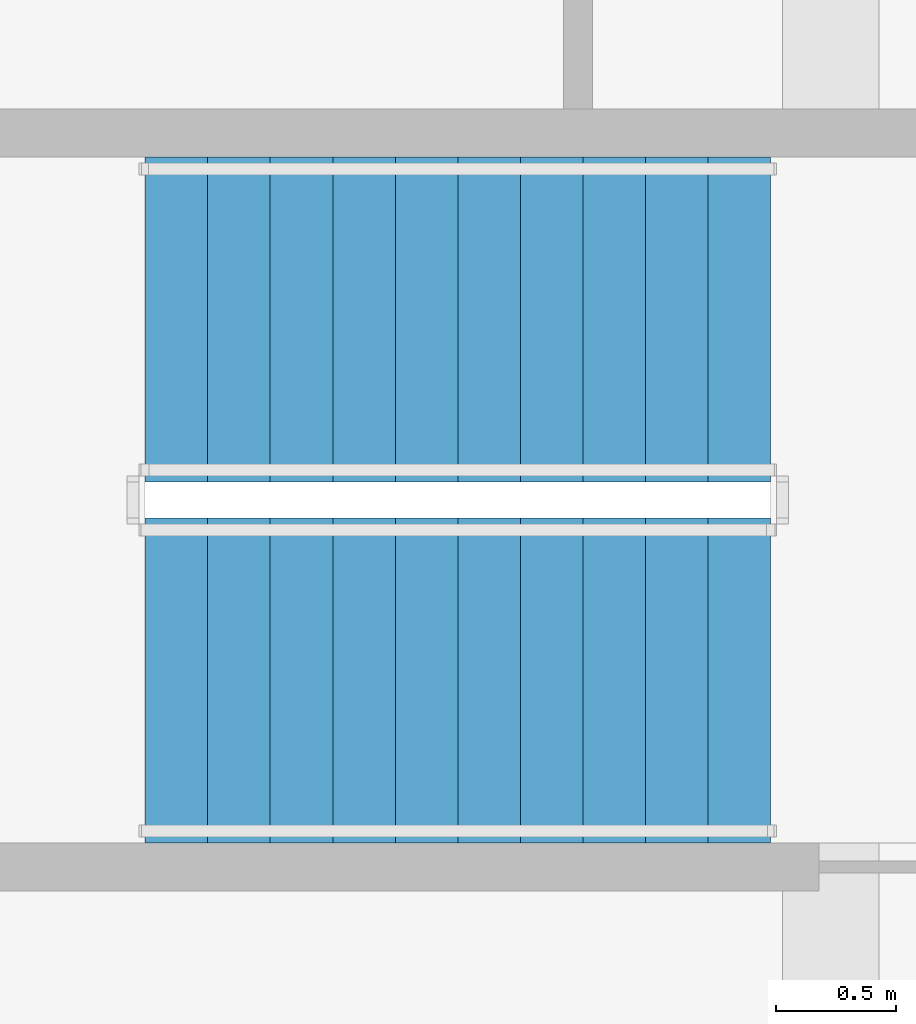
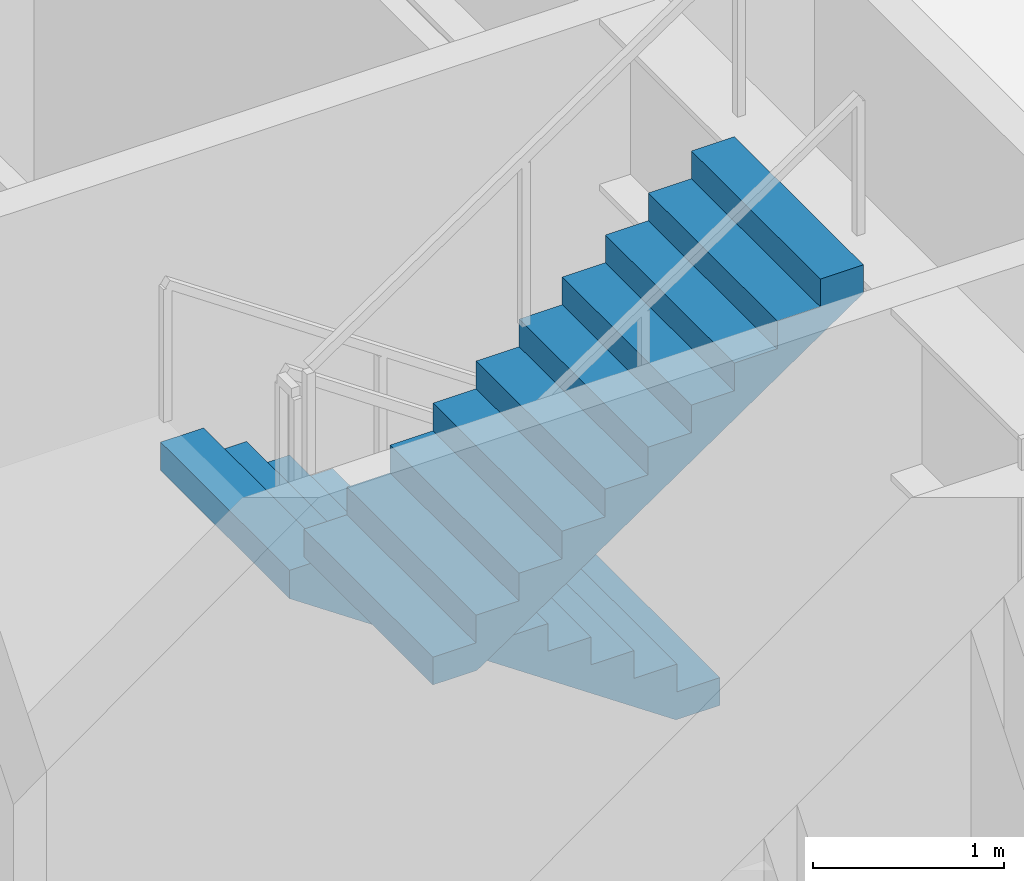
# One storey, part 9 of 12: 2 stair flights, 1 element without a shape of its own.
"""IFC4 building model written with IfcOpenShell, lengths in metres."""

from ifc_helpers import new_model, si_unit, direction, frame, origin, place, context, subcontext, project, spatial, polyline, outline, extrude, material, type_object, element, aggregate, save


model = new_model("IFC4")

# Units and contexts
model_context = context("Model", 3, precision=1e-05, world=origin(), true_north=direction((0.0, 1.0)))
body_context = subcontext(model_context, "Body", "Model", "MODEL_VIEW")
ifc_project = project(units=[si_unit("LENGTHUNIT", "METRE"), si_unit("AREAUNIT", "SQUARE_METRE"), si_unit("VOLUMEUNIT", "CUBIC_METRE"), si_unit("PLANEANGLEUNIT", "RADIAN"), si_unit("MASSUNIT", "GRAM", prefix="KILO")], contexts=[model_context])

# Site, building, storey
site_placement = place(None, origin())
site = spatial("IfcSite", under=ifc_project, at=site_placement, CompositionType="ELEMENT")
building_placement = place(site_placement, origin())
building = spatial("IfcBuilding", under=site, at=building_placement, Name="Khepri Terraces", CompositionType="ELEMENT")
storey_placement = place(building_placement, frame((0.0, 0.0, 296.699951171875)))
storey = spatial("IfcBuildingStorey", under=building, at=storey_placement, Name="L71", CompositionType="ELEMENT", Elevation=296.699951171875)

# Stair, stair flights
ifc_material = material(Name="Concrete C40/50", Category="concrete")
stair_type = type_object("IfcStairType", Name="STAIR-RC-22R", PredefinedType="HALF_TURN_STAIR", material=ifc_material)
stair_placement = place(storey_placement, origin())
stair = element("IfcStair", 1, at=stair_placement, inside=storey, type_object=stair_type, Name="L71 Exit Stair ST-3", PredefinedType="HALF_TURN_STAIR")
stair_flight_type = type_object("IfcStairFlightType", Name="SFL-RC-177.3", PredefinedType="STRAIGHT", material=ifc_material)
stair_flight_1_placement = place(storey_placement, frame((-0.25, 9.425048828125, 0.0), z_axis=(0.0, 0.0, 1.0), x_axis=(-1.0, 0.0, 0.0)))
stair_flight_1 = element("IfcStairFlight", 2, at=stair_flight_1_placement, type_object=stair_flight_type, Name="ST-3 flight 1", NumberOfRisers=11, NumberOfTreads=10, PredefinedType="STRAIGHT", RiserHeight=0.177272727, TreadLength=0.26, context=body_context, shape_type="SweptSolid", body=[
    extrude(outline(polyline([(0.0, 0.0), (0.0, 0.17724609375), (0.260009765625, 0.17724609375), (0.260009765625, 0.3544921875), (0.52001953125, 0.3544921875), (0.52001953125, 0.53173828125), (0.780029296875, 0.53173828125), (0.780029296875, 0.708984375), (1.0400390625, 0.708984375), (1.0400390625, 0.886474609375), (1.300048828125, 0.886474609375), (1.300048828125, 1.063720703125), (1.56005859375, 1.063720703125), (1.56005859375, 1.240966796875), (1.820068359375, 1.240966796875), (1.820068359375, 1.418212890625), (2.080078125, 1.418212890625), (2.080078125, 1.595458984375), (2.340087890625, 1.595458984375), (2.340087890625, 1.772705078125), (2.60009765625, 1.772705078125), (2.60009765625, 1.949951171875), (2.60009765625, 1.59130859375), (0.26611328125, 0.0), (0.0, 0.0)])), frame((0.0, 0.675048828125, 0.0), z_axis=(0.0, -1.0, 0.0), x_axis=(1.0, 0.0, 0.0)), (0.0, 0.0, 1.0), 1.35009765625),
])
stair_flight_2_placement = place(storey_placement, frame((-2.85009765625, 7.925048828125, 1.949951171875), z_axis=(0.0, 0.0, 1.0), x_axis=(1.0, 0.0, 0.0)))
stair_flight_2 = element("IfcStairFlight", 3, at=stair_flight_2_placement, type_object=stair_flight_type, Name="ST-3 flight 2", NumberOfRisers=11, NumberOfTreads=10, PredefinedType="STRAIGHT", RiserHeight=0.177272727, TreadLength=0.26, context=body_context, shape_type="SweptSolid", body=[
    extrude(outline(polyline([(0.0, 0.0), (0.0, 0.17724609375), (0.260009765625, 0.17724609375), (0.260009765625, 0.3544921875), (0.52001953125, 0.3544921875), (0.52001953125, 0.53173828125), (0.780029296875, 0.53173828125), (0.780029296875, 0.708984375), (1.0400390625, 0.708984375), (1.0400390625, 0.886474609375), (1.300048828125, 0.886474609375), (1.300048828125, 1.063720703125), (1.56005859375, 1.063720703125), (1.56005859375, 1.240966796875), (1.820068359375, 1.240966796875), (1.820068359375, 1.418212890625), (2.080078125, 1.418212890625), (2.080078125, 1.595458984375), (2.340087890625, 1.595458984375), (2.340087890625, 1.772705078125), (2.60009765625, 1.772705078125), (2.60009765625, 1.949951171875), (2.60009765625, 1.59130859375), (0.26611328125, 0.0), (0.0, 0.0)])), frame((0.0, 0.675048828125, 0.0), z_axis=(0.0, -1.0, 0.0), x_axis=(1.0, 0.0, 0.0)), (0.0, 0.0, 1.0), 1.35009765625),
])
aggregate(stair, [stair_flight_1, stair_flight_2])

save(model, "model.ifc")
